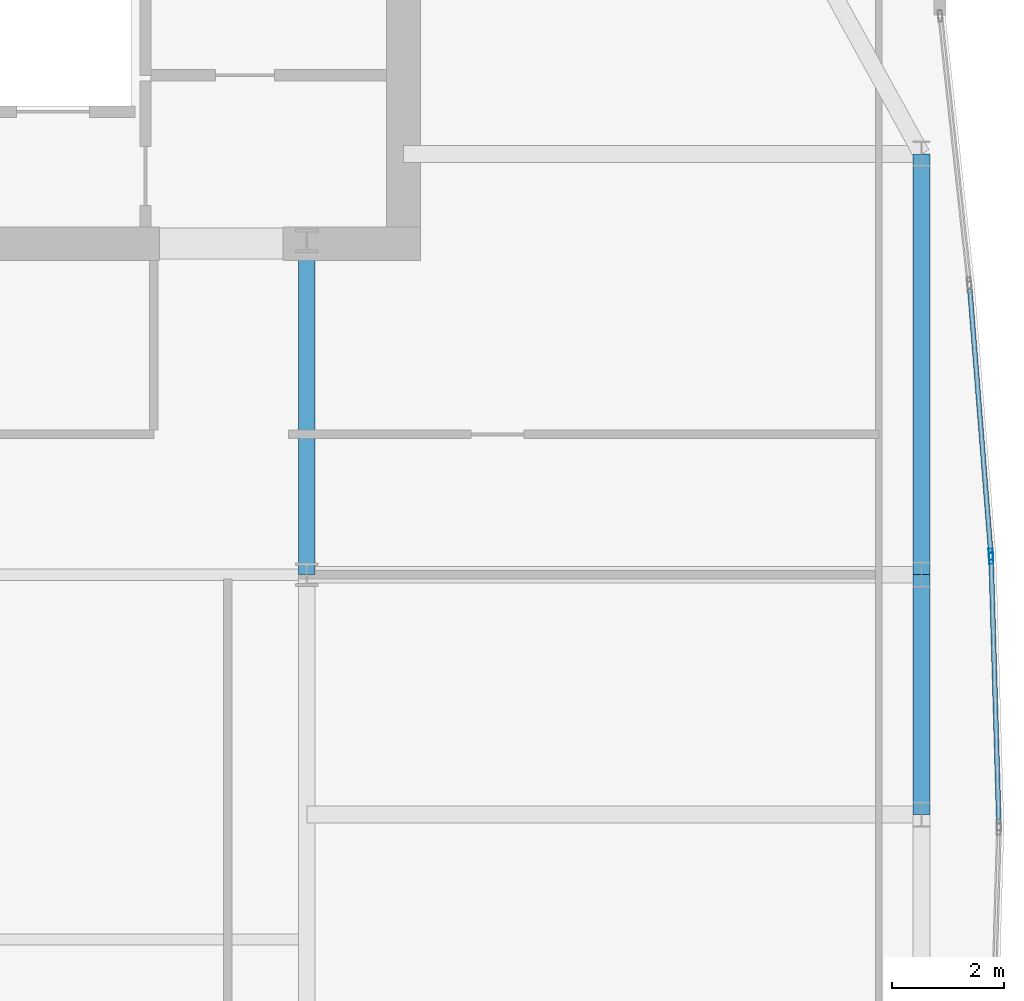
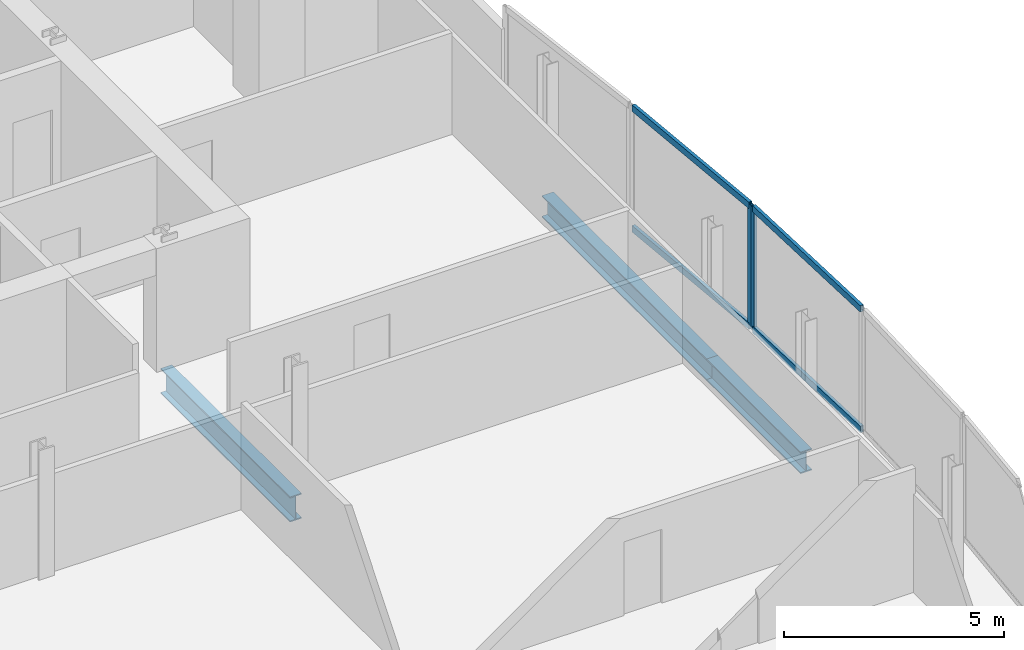
# One storey, part 21 of 32: 6 members, 3 beams, 2 elements without a shape of their own.
"""IFC4 building model written with IfcOpenShell, lengths in metres."""

from ifc_helpers import new_model, si_unit, direction, frame, origin, origin_2d, place, context, subcontext, project, spatial, hollow_rectangle, i_section, extrude, material, material_profile, profile_set, type_object, element, aggregate, save


model = new_model("IFC4")

# Units and contexts
model_context = context("Model", 3, precision=1e-05, world=origin(), true_north=direction((0.0, 1.0)))
body_context = subcontext(model_context, "Body", "Model", "MODEL_VIEW")
ifc_project = project(units=[si_unit("LENGTHUNIT", "METRE"), si_unit("AREAUNIT", "SQUARE_METRE"), si_unit("VOLUMEUNIT", "CUBIC_METRE"), si_unit("PLANEANGLEUNIT", "RADIAN"), si_unit("MASSUNIT", "GRAM", prefix="KILO")], contexts=[model_context])

# Site, building, storey
site_placement = place(None, origin())
site = spatial("IfcSite", under=ifc_project, at=site_placement, CompositionType="ELEMENT")
building_placement = place(site_placement, origin())
building = spatial("IfcBuilding", under=site, at=building_placement, Name="Khoronbel Lancet Exchange", CompositionType="ELEMENT")
storey_placement = place(building_placement, frame((0.0, 0.0, 192.199951171875)))
storey = spatial("IfcBuildingStorey", under=building, at=storey_placement, Name="L48", CompositionType="ELEMENT", Elevation=192.199951171875)

# Beams
ifc_material_1 = material(Name="Steel S355", Category="steel")
ifc_material_profile_1 = material_profile(ifc_material_1, i_section(OverallWidth=0.300048828125, OverallDepth=0.699951171875, WebThickness=0.01708984375, FlangeThickness=0.031982421875, at=origin_2d()), Name="HEB 700")
ifc_profile_set_1 = profile_set([ifc_material_profile_1], Name="Steel S355")
beam_type_1 = type_object("IfcBeamType", Name="BM-BG3", PredefinedType="BEAM", material=ifc_profile_set_1)
beam_1_placement = place(storey_placement, frame((54.675048828125, 35.699951171875, -0.510009765625), z_axis=(0.0, 1.0, 0.0), x_axis=(-1.0, 0.0, 0.0)))
element("IfcBeam", 1, at=beam_1_placement, inside=storey, type_object=beam_type_1, Name="Level L48 spine tie girder GN6", PredefinedType="BEAM", context=body_context, shape_type="SweptSolid", body=[
    extrude(i_section(OverallWidth=0.300048828125, OverallDepth=0.699951171875, WebThickness=0.01708984375, FlangeThickness=0.031982421875, at=origin_2d()), origin(), (0.0, 0.0, 1.0), 5.900146484375),
])
ifc_material_profile_2 = material_profile(ifc_material_1, i_section(OverallWidth=0.300048828125, OverallDepth=0.60009765625, WebThickness=0.015380859375, FlangeThickness=0.030029296875, at=origin_2d()), Name="HEB 600")
ifc_profile_set_2 = profile_set([ifc_material_profile_2], Name="Steel S355")
beam_type_2 = type_object("IfcBeamType", Name="BM-BSP2", PredefinedType="SPANDREL", material=ifc_profile_set_2)
beam_2_placement = place(storey_placement, frame((65.6298828125, 31.425048828125, -0.4599609375), z_axis=(0.0, 1.0, 0.0), x_axis=(-1.0, 0.0, 0.0)))
element("IfcBeam", 2, at=beam_2_placement, inside=storey, type_object=beam_type_2, Name="Level L48 perimeter spandrel beam SP13", PredefinedType="SPANDREL", context=body_context, shape_type="SweptSolid", body=[
    extrude(i_section(OverallWidth=0.300048828125, OverallDepth=0.60009765625, WebThickness=0.015380859375, FlangeThickness=0.030029296875, at=origin_2d()), origin(), (0.0, 0.0, 1.0), 4.27490234375),
])
beam_3_placement = place(storey_placement, frame((65.6298828125, 35.699951171875, -0.4599609375), z_axis=(0.0, 1.0, 0.0), x_axis=(-1.0, 0.0, 0.0)))
element("IfcBeam", 3, at=beam_3_placement, inside=storey, type_object=beam_type_2, Name="Level L48 perimeter spandrel beam SP14", PredefinedType="SPANDREL", context=body_context, shape_type="SweptSolid", body=[
    extrude(i_section(OverallWidth=0.300048828125, OverallDepth=0.60009765625, WebThickness=0.015380859375, FlangeThickness=0.030029296875, at=origin_2d()), origin(), (0.0, 0.0, 1.0), 7.5),
])

# Curtain wall, member
ifc_material_2 = material(Name="Low-E Solar Control Insulating Glass", Category="glass")
curtain_wall_type = type_object("IfcCurtainWallType", Name="CW-4", PredefinedType="NOTDEFINED", material=ifc_material_2)
curtain_wall_1_placement = place(storey_placement, origin())
curtain_wall_1 = element("IfcCurtainWall", 4, at=curtain_wall_1_placement, inside=storey, type_object=curtain_wall_type, Name="Unitised curtain wall CW-L48-E18", PredefinedType="NOTDEFINED")
ifc_material_3 = material(Name="Bronze-Anodised Aluminium 6063-T6", Category="aluminium")
ifc_material_profile_3 = material_profile(ifc_material_3, hollow_rectangle(XDim=0.074951171875, YDim=0.199951171875, WallThickness=0.0048828125, at=origin_2d()), Name="ALU MULLION 75x200")
ifc_profile_set_3 = profile_set([ifc_material_profile_3], Name="Bronze-Anodised Aluminium 6063-T6")
member_type_1 = type_object("IfcMemberType", Name="MEM-CWM2", PredefinedType="MULLION", material=ifc_profile_set_3)
member_1_placement = place(storey_placement, frame((66.866455078125, 36.065673828125, 0.0), z_axis=(0.0, 0.0, 1.0), x_axis=(0.996854401909, 0.079254661653, 0.0)))
member_1 = element("IfcMember", 5, at=member_1_placement, type_object=member_type_1, Name="CW4 mullion 2", PredefinedType="MULLION", context=body_context, shape_type="SweptSolid", body=[
    extrude(hollow_rectangle(XDim=0.074951171875, YDim=0.199951171875, WallThickness=0.0048828125, at=origin_2d()), origin(), (0.0, 0.0, 1.0), 3.43994140625),
])

curtain_wall_2_placement = place(storey_placement, origin())
curtain_wall_2 = element("IfcCurtainWall", 6, at=curtain_wall_2_placement, inside=storey, type_object=curtain_wall_type, Name="Unitised curtain wall CW-L48-E19", PredefinedType="NOTDEFINED")
member_2_placement = place(storey_placement, frame((66.87060546875, 35.990966796875, 0.0), z_axis=(0.0, 0.0, 1.0), x_axis=(0.999576300376, 0.029107039142, 0.0)))
member_2 = element("IfcMember", 7, at=member_2_placement, type_object=member_type_1, Name="CW4 mullion 1", PredefinedType="MULLION", context=body_context, shape_type="SweptSolid", body=[
    extrude(hollow_rectangle(XDim=0.074951171875, YDim=0.199951171875, WallThickness=0.0048828125, at=origin_2d()), origin(), (0.0, 0.0, 1.0), 3.43994140625),
])

# Member
ifc_material_profile_4 = material_profile(ifc_material_3, hollow_rectangle(XDim=0.0849609375, YDim=0.179931640625, WallThickness=0.0048828125, at=origin_2d()), Name="ALU TRANSOM 85x180")
ifc_profile_set_4 = profile_set([ifc_material_profile_4], Name="Bronze-Anodised Aluminium 6063-T6")
member_type_2 = type_object("IfcMemberType", Name="MEM-CWT1", PredefinedType="USERDEFINED", material=ifc_profile_set_4)
member_3_placement = place(storey_placement, frame((66.491455078125, 40.783447265625, 0.04248046875), z_axis=(0.079249179589, -0.996854837744, 0.0), x_axis=(0.996854837744, 0.079249179589, 0.0)))
member_3 = element("IfcMember", 8, at=member_3_placement, type_object=member_type_2, Name="CW4 transom 1.1", ObjectType="TRANSOM", PredefinedType="USERDEFINED", context=body_context, shape_type="SweptSolid", body=[
    extrude(hollow_rectangle(XDim=0.0849609375, YDim=0.179931640625, WallThickness=0.0048828125, at=origin_2d()), origin(), (0.0, 0.0, 1.0), 4.69482421875),
])

member_4_placement = place(storey_placement, frame((66.491455078125, 40.783447265625, 3.3974609375), z_axis=(0.079249179589, -0.996854837744, 0.0), x_axis=(0.996854837744, 0.079249179589, 0.0)))
member_4 = element("IfcMember", 9, at=member_4_placement, type_object=member_type_2, Name="CW4 transom 1.2", ObjectType="TRANSOM", PredefinedType="USERDEFINED", context=body_context, shape_type="SweptSolid", body=[
    extrude(hollow_rectangle(XDim=0.0849609375, YDim=0.179931640625, WallThickness=0.0048828125, at=origin_2d()), origin(), (0.0, 0.0, 1.0), 4.69482421875),
])

aggregate(curtain_wall_1, [member_1, member_3, member_4])

member_5_placement = place(storey_placement, frame((66.87158203125, 35.953369140625, 0.04248046875), z_axis=(0.029106277096, -0.999576322566, 0.0), x_axis=(0.999576322566, 0.029106277096, 0.0)))
member_5 = element("IfcMember", 10, at=member_5_placement, type_object=member_type_2, Name="CW4 transom 1.1", ObjectType="TRANSOM", PredefinedType="USERDEFINED", context=body_context, shape_type="SweptSolid", body=[
    extrude(hollow_rectangle(XDim=0.0849609375, YDim=0.179931640625, WallThickness=0.0048828125, at=origin_2d()), origin(), (0.0, 0.0, 1.0), 4.680419921875),
])

member_6_placement = place(storey_placement, frame((66.87158203125, 35.953369140625, 3.3974609375), z_axis=(0.029106277096, -0.999576322566, 0.0), x_axis=(0.999576322566, 0.029106277096, 0.0)))
member_6 = element("IfcMember", 11, at=member_6_placement, type_object=member_type_2, Name="CW4 transom 1.2", ObjectType="TRANSOM", PredefinedType="USERDEFINED", context=body_context, shape_type="SweptSolid", body=[
    extrude(hollow_rectangle(XDim=0.0849609375, YDim=0.179931640625, WallThickness=0.0048828125, at=origin_2d()), origin(), (0.0, 0.0, 1.0), 4.680419921875),
])

aggregate(curtain_wall_2, [member_2, member_5, member_6])

save(model, "model.ifc")
